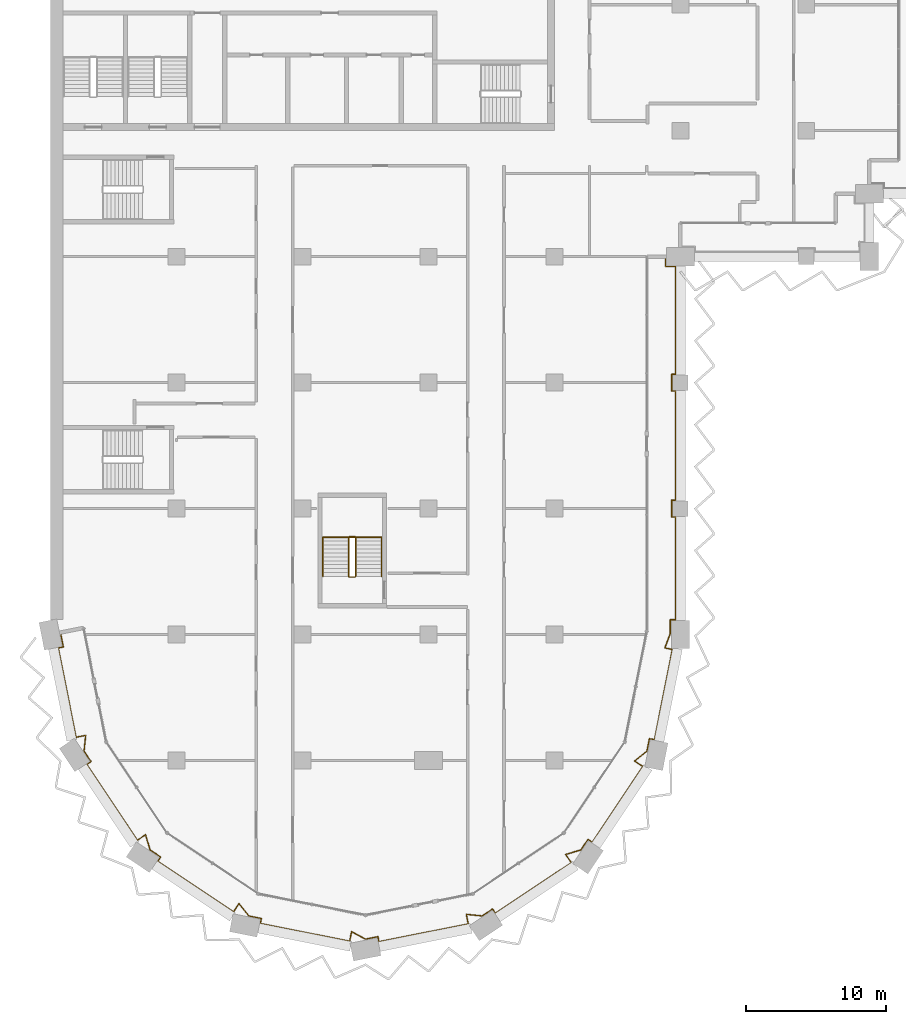
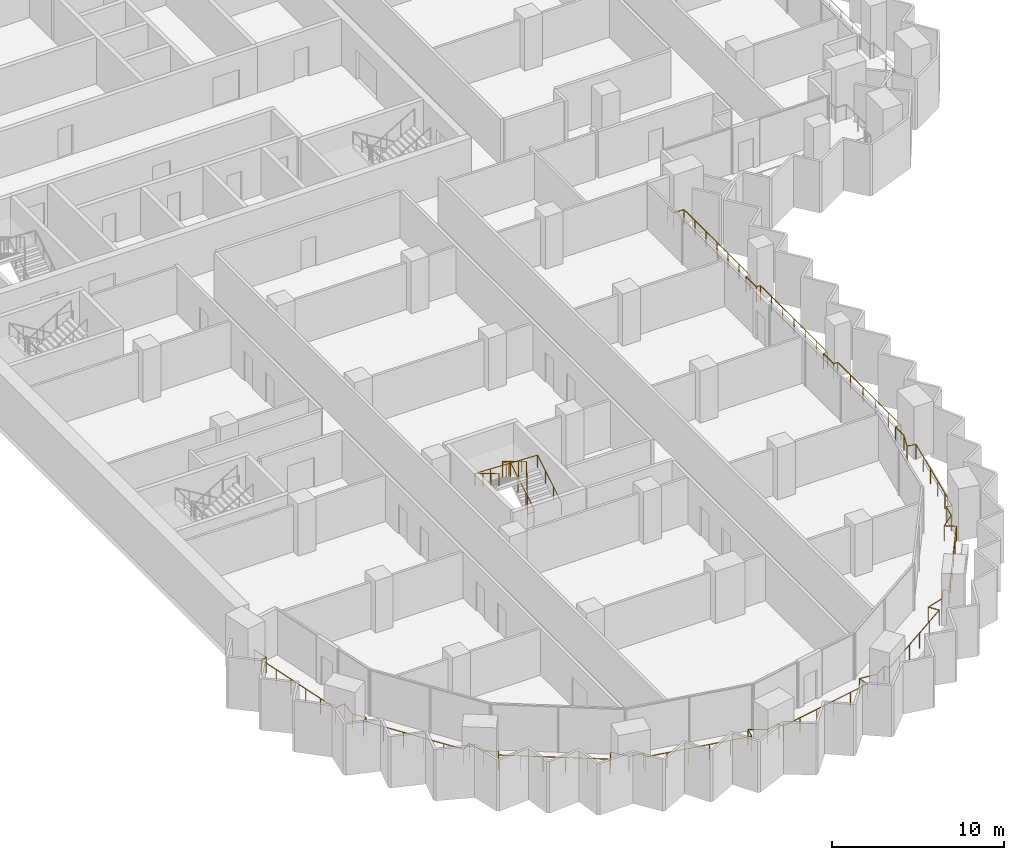
# One storey, part 19 of 22: 3 railings.
"""IFC4 building model written with IfcOpenShell, lengths in metres."""

from ifc_helpers import new_model, si_unit, direction, frame, origin, origin_2d, place, context, subcontext, project, spatial, circle, extrude, material, type_object, element, save


model = new_model("IFC4")

# Units and contexts
model_context = context("Model", 3, precision=1e-05, world=origin(), true_north=direction((0.0, 1.0)))
body_context = subcontext(model_context, "Body", "Model", "MODEL_VIEW")
ifc_project = project(units=[si_unit("LENGTHUNIT", "METRE"), si_unit("AREAUNIT", "SQUARE_METRE"), si_unit("VOLUMEUNIT", "CUBIC_METRE"), si_unit("PLANEANGLEUNIT", "RADIAN"), si_unit("MASSUNIT", "GRAM", prefix="KILO")], contexts=[model_context])

# Site, building, storey
site_placement = place(None, origin())
site = spatial("IfcSite", under=ifc_project, at=site_placement, CompositionType="ELEMENT")
building_placement = place(site_placement, origin())
building = spatial("IfcBuilding", under=site, at=building_placement, Name="Hunhe Ridgeline Campus", CompositionType="ELEMENT")
storey_placement = place(building_placement, frame((0.0, 0.0, 159.699951171875)))
storey = spatial("IfcBuildingStorey", under=building, at=storey_placement, Name="L40", CompositionType="ELEMENT", Elevation=159.699951171875)

# Railings
ifc_material_1 = material(Name="Steel Q355", Category="steel")
railing_type_1 = type_object("IfcRailingType", Name="Loggia guard 1100 Steel Q355", PredefinedType="GUARDRAIL", material=ifc_material_1)
railing_1_placement = place(storey_placement, frame((0.7060546875, 27.140380859375, 0.0)))
element("IfcRailing", 1, at=railing_1_placement, inside=storey, type_object=railing_type_1, Name="Loggia guard 1", PredefinedType="GUARDRAIL", context=body_context, shape_type="SweptSolid", body=[
    extrude(circle(Radius=0.02392578125, at=origin_2d()), frame((0.0, 0.0, 1.076171875), z_axis=(0.195087556151, -0.980785830564, 0.0), x_axis=(0.980785830564, 0.195087556151, 0.0)), (0.0, 0.0, 1.0), 1.050048828125),
    extrude(circle(Radius=0.02392578125, at=origin_2d()), frame((0.204833984375, -1.02978515625, 1.076171875), z_axis=(-0.980858940504, -0.194719641621, 0.0), x_axis=(0.194719641621, -0.980858940504, 0.0)), (0.0, 0.0, 1.0), 0.369873046875),
    extrude(circle(Radius=0.02392578125, at=origin_2d()), frame((-0.157958984375, -1.101806640625, 1.076171875), z_axis=(0.19507695386, -0.9807879394, 0.0), x_axis=(0.9807879394, 0.19507695386, 0.0)), (0.0, 0.0, 1.0), 6.506591796875),
    extrude(circle(Radius=0.02392578125, at=origin_2d()), frame((1.111328125, -7.4833984375, 1.076171875), z_axis=(0.980780459814, 0.195114555191, 0.0), x_axis=(-0.195114555191, 0.980780459814, 0.0)), (0.0, 0.0, 1.0), 0.703125),
    extrude(circle(Radius=0.02392578125, at=origin_2d()), frame((1.801025390625, -7.34619140625, 1.076171875), z_axis=(-0.102884402445, -0.994693319437, 0.0), x_axis=(0.994693319437, -0.102884402445, 0.0)), (0.0, 0.0, 1.0), 1.129638671875),
    extrude(circle(Radius=0.02392578125, at=origin_2d()), frame((1.684814453125, -8.4697265625, 1.076171875), z_axis=(0.555569523548, -0.831470086356, 0.0), x_axis=(0.831470086356, 0.555569523548, 0.0)), (0.0, 0.0, 1.0), 0.906982421875),
    extrude(circle(Radius=0.02392578125, at=origin_2d()), frame((2.188720703125, -9.223876953125, 1.076171875), z_axis=(-0.831440678638, -0.555613532868, 0.0), x_axis=(0.555613532868, -0.831440678638, 0.0)), (0.0, 0.0, 1.0), 0.369873046875),
    extrude(circle(Radius=0.02392578125, at=origin_2d()), frame((1.881103515625, -9.429443359375, 1.076171875), z_axis=(0.55556581165, -0.83147256655, 0.0), x_axis=(0.83147256655, 0.55556581165, 0.0)), (0.0, 0.0, 1.0), 6.50634765625),
    extrude(circle(Radius=0.02392578125, at=origin_2d()), frame((5.495849609375, -14.83935546875, 1.076171875), z_axis=(0.831355400166, 0.555741125539, 0.0), x_axis=(-0.555741125539, 0.831355400166, 0.0)), (0.0, 0.0, 1.0), 0.703369140625),
    extrude(circle(Radius=0.02392578125, at=origin_2d()), frame((6.08056640625, -14.448486328125, 1.076171875), z_axis=(0.285463917281, -0.958389457335, 0.0), x_axis=(0.958389457335, 0.285463917281, 0.0)), (0.0, 0.0, 1.0), 1.1298828125),
    extrude(circle(Radius=0.02392578125, at=origin_2d()), frame((6.403076171875, -15.53125, 1.076171875), z_axis=(0.831511358569, -0.555507750235, 0.0), x_axis=(0.555507750235, 0.831511358569, 0.0)), (0.0, 0.0, 1.0), 0.90673828125),
    extrude(circle(Radius=0.02392578125, at=origin_2d()), frame((7.156982421875, -16.034912109375, 1.076171875), z_axis=(-0.555613532868, -0.831440678638, 0.0), x_axis=(0.831440678638, -0.555613532868, 0.0)), (0.0, 0.0, 1.0), 0.369873046875),
    extrude(circle(Radius=0.02392578125, at=origin_2d()), frame((6.951416015625, -16.342529296875, 1.076171875), z_axis=(0.831455233209, -0.555591752251, 0.0), x_axis=(0.555591752251, 0.831455233209, 0.0)), (0.0, 0.0, 1.0), 6.506591796875),
    extrude(circle(Radius=0.02392578125, at=origin_2d()), frame((12.361328125, -19.95751953125, 1.076171875), z_axis=(0.555741125539, 0.831355400166, 0.0), x_axis=(-0.831355400166, 0.555741125539, 0.0)), (0.0, 0.0, 1.0), 0.703369140625),
    extrude(circle(Radius=0.02392578125, at=origin_2d()), frame((12.752197265625, -19.372802734375, 1.076171875), z_axis=(0.630633305327, -0.776080945657, 0.0), x_axis=(0.776080945657, 0.630633305327, 0.0)), (0.0, 0.0, 1.0), 1.129638671875),
    extrude(circle(Radius=0.02392578125, at=origin_2d()), frame((13.464599609375, -20.24951171875, 1.076171875), z_axis=(0.980807887006, -0.194976636516, 0.0), x_axis=(0.194976636516, 0.980807887006, 0.0)), (0.0, 0.0, 1.0), 0.906494140625),
    extrude(circle(Radius=0.02392578125, at=origin_2d()), frame((14.353759765625, -20.42626953125, 1.076171875), z_axis=(-0.194593653816, -0.980883943132, 0.0), x_axis=(0.980883943132, -0.194593653816, 0.0)), (0.0, 0.0, 1.0), 0.3701171875),
    extrude(circle(Radius=0.02392578125, at=origin_2d()), frame((14.28173828125, -20.789306640625, 1.076171875), z_axis=(0.98078651142, -0.195084133173, 0.0), x_axis=(0.195084133173, 0.98078651142, 0.0)), (0.0, 0.0, 1.0), 6.50634765625),
    extrude(circle(Radius=0.02392578125, at=origin_2d()), frame((20.6630859375, -22.05859375, 1.076171875), z_axis=(0.195114555191, 0.980780459814, 0.0), x_axis=(-0.980780459814, 0.195114555191, 0.0)), (0.0, 0.0, 1.0), 0.703125),
    extrude(circle(Radius=0.02392578125, at=origin_2d()), frame((20.80029296875, -21.368896484375, 1.076171875), z_axis=(0.879616090555, -0.475684278946, 0.0), x_axis=(0.475684278946, 0.879616090555, 0.0)), (0.0, 0.0, 1.0), 1.129638671875),
    extrude(circle(Radius=0.02392578125, at=origin_2d()), frame((21.7939453125, -21.90625, 1.076171875), z_axis=(0.98081812081, 0.194925149456, 0.0), x_axis=(-0.194925149456, 0.98081812081, 0.0)), (0.0, 0.0, 1.0), 0.90673828125),
    extrude(circle(Radius=0.02392578125, at=origin_2d()), frame((22.683349609375, -21.7294921875, 1.076171875), z_axis=(0.194719641621, -0.980858940504, 0.0), x_axis=(0.980858940504, 0.194719641621, 0.0)), (0.0, 0.0, 1.0), 0.369873046875),
    extrude(circle(Radius=0.02392578125, at=origin_2d()), frame((22.75537109375, -22.09228515625, 1.076171875), z_axis=(0.9807879394, 0.19507695386, 0.0), x_axis=(-0.19507695386, 0.9807879394, 0.0)), (0.0, 0.0, 1.0), 6.506591796875),
    extrude(circle(Radius=0.02392578125, at=origin_2d()), frame((29.136962890625, -20.822998046875, 1.076171875), z_axis=(-0.195114555191, 0.980780459814, 0.0), x_axis=(-0.980780459814, -0.195114555191, 0.0)), (0.0, 0.0, 1.0), 0.703125),
    extrude(circle(Radius=0.02392578125, at=origin_2d()), frame((28.999755859375, -20.13330078125, 1.076171875), z_axis=(0.994693319437, -0.102884402445, 0.0), x_axis=(0.102884402445, 0.994693319437, 0.0)), (0.0, 0.0, 1.0), 1.129638671875),
    extrude(circle(Radius=0.02392578125, at=origin_2d()), frame((30.123291015625, -20.24951171875, 1.076171875), z_axis=(0.831470086356, 0.555569523548, 0.0), x_axis=(-0.555569523548, 0.831470086356, 0.0)), (0.0, 0.0, 1.0), 0.906982421875),
    extrude(circle(Radius=0.02392578125, at=origin_2d()), frame((30.87744140625, -19.74560546875, 1.076171875), z_axis=(0.555613532868, -0.831440678638, 0.0), x_axis=(0.831440678638, 0.555613532868, 0.0)), (0.0, 0.0, 1.0), 0.369873046875),
    extrude(circle(Radius=0.02392578125, at=origin_2d()), frame((31.0830078125, -20.05322265625, 1.076171875), z_axis=(0.83147256655, 0.55556581165, 0.0), x_axis=(-0.55556581165, 0.83147256655, 0.0)), (0.0, 0.0, 1.0), 6.50634765625),
    extrude(circle(Radius=0.02392578125, at=origin_2d()), frame((36.492919921875, -16.4384765625, 1.076171875), z_axis=(-0.555741125539, 0.831355400166, 0.0), x_axis=(-0.831355400166, -0.555741125539, 0.0)), (0.0, 0.0, 1.0), 0.703369140625),
    extrude(circle(Radius=0.02392578125, at=origin_2d()), frame((36.10205078125, -15.853759765625, 1.076171875), z_axis=(0.958389457335, 0.285463917281, 0.0), x_axis=(-0.285463917281, 0.958389457335, 0.0)), (0.0, 0.0, 1.0), 1.1298828125),
    extrude(circle(Radius=0.02392578125, at=origin_2d()), frame((37.184814453125, -15.53125, 1.076171875), z_axis=(0.555507750235, 0.831511358569, 0.0), x_axis=(-0.831511358569, 0.555507750235, 0.0)), (0.0, 0.0, 1.0), 0.90673828125),
    extrude(circle(Radius=0.02392578125, at=origin_2d()), frame((37.6884765625, -14.77734375, 1.076171875), z_axis=(0.831440678638, -0.555613532868, 0.0), x_axis=(0.555613532868, 0.831440678638, 0.0)), (0.0, 0.0, 1.0), 0.369873046875),
    extrude(circle(Radius=0.02392578125, at=origin_2d()), frame((37.99609375, -14.98291015625, 1.076171875), z_axis=(0.555591752251, 0.831455233209, 0.0), x_axis=(-0.831455233209, 0.555591752251, 0.0)), (0.0, 0.0, 1.0), 6.506591796875),
    extrude(circle(Radius=0.02392578125, at=origin_2d()), frame((41.611083984375, -9.572998046875, 1.076171875), z_axis=(-0.831355400166, 0.555741125539, 0.0), x_axis=(-0.555741125539, -0.831355400166, 0.0)), (0.0, 0.0, 1.0), 0.703369140625),
    extrude(circle(Radius=0.02392578125, at=origin_2d()), frame((41.0263671875, -9.18212890625, 1.076171875), z_axis=(0.776080945657, 0.630633305327, 0.0), x_axis=(-0.630633305327, 0.776080945657, 0.0)), (0.0, 0.0, 1.0), 1.129638671875),
    extrude(circle(Radius=0.02392578125, at=origin_2d()), frame((41.903076171875, -8.4697265625, 1.076171875), z_axis=(0.194976636516, 0.980807887006, 0.0), x_axis=(-0.980807887006, 0.194976636516, 0.0)), (0.0, 0.0, 1.0), 0.906494140625),
    extrude(circle(Radius=0.02392578125, at=origin_2d()), frame((42.079833984375, -7.58056640625, 1.076171875), z_axis=(0.980883943132, -0.194593653816, 0.0), x_axis=(0.194593653816, 0.980883943132, 0.0)), (0.0, 0.0, 1.0), 0.3701171875),
    extrude(circle(Radius=0.02392578125, at=origin_2d()), frame((42.44287109375, -7.652587890625, 1.076171875), z_axis=(0.195087191819, 0.980785903033, 0.0), x_axis=(-0.980785903033, 0.195087191819, 0.0)), (0.0, 0.0, 1.0), 6.5712890625),
    extrude(circle(Radius=0.02392578125, at=origin_2d()), frame((43.724853515625, -1.20751953125, 1.076171875), z_axis=(-0.9807502228, 0.195266485801, 0.0), x_axis=(-0.195266485801, -0.9807502228, 0.0)), (0.0, 0.0, 1.0), 0.552734375),
    extrude(circle(Radius=0.02392578125, at=origin_2d()), frame((43.182861328125, -1.099609375, 1.076171875), z_axis=(0.354981524628, 0.934873316109, 0.0), x_axis=(-0.934873316109, 0.354981524628, 0.0)), (0.0, 0.0, 1.0), 1.101806640625),
    extrude(circle(Radius=0.02392578125, at=origin_2d()), frame((43.573974609375, -0.069580078125, 1.076171875), z_axis=(0.0, 1.0, 0.0), x_axis=(-1.0, 0.0, 0.0)), (0.0, 0.0, 1.0), 0.979248046875),
    extrude(circle(Radius=0.02392578125, at=origin_2d()), frame((43.573974609375, 0.90966796875, 1.076171875), z_axis=(1.0, 0.0, 0.0), x_axis=(0.0, 1.0, 0.0)), (0.0, 0.0, 1.0), 0.369873046875),
    extrude(circle(Radius=0.02392578125, at=origin_2d()), frame((43.94384765625, 0.90966796875, 1.076171875), z_axis=(0.0, 1.0, 0.0), x_axis=(-1.0, 0.0, 0.0)), (0.0, 0.0, 1.0), 7.349853515625),
    extrude(circle(Radius=0.02392578125, at=origin_2d()), frame((43.94384765625, 8.259521484375, 1.076171875), z_axis=(-1.0, 0.0, 0.0), x_axis=(0.0, -1.0, 0.0)), (0.0, 0.0, 1.0), 0.27001953125),
    extrude(circle(Radius=0.02392578125, at=origin_2d()), frame((43.673828125, 8.259521484375, 1.076171875), z_axis=(0.0, 1.0, 0.0), x_axis=(-1.0, 0.0, 0.0)), (0.0, 0.0, 1.0), 1.2001953125),
    extrude(circle(Radius=0.02392578125, at=origin_2d()), frame((43.673828125, 9.459716796875, 1.076171875), z_axis=(1.0, 0.0, 0.0), x_axis=(0.0, 1.0, 0.0)), (0.0, 0.0, 1.0), 0.27001953125),
    extrude(circle(Radius=0.02392578125, at=origin_2d()), frame((43.94384765625, 9.459716796875, 1.076171875), z_axis=(0.0, 1.0, 0.0), x_axis=(-1.0, 0.0, 0.0)), (0.0, 0.0, 1.0), 7.7998046875),
    extrude(circle(Radius=0.02392578125, at=origin_2d()), frame((43.94384765625, 17.259521484375, 1.076171875), z_axis=(-1.0, 0.0, 0.0), x_axis=(0.0, -1.0, 0.0)), (0.0, 0.0, 1.0), 0.27001953125),
    extrude(circle(Radius=0.02392578125, at=origin_2d()), frame((43.673828125, 17.259521484375, 1.076171875), z_axis=(0.0, 1.0, 0.0), x_axis=(-1.0, 0.0, 0.0)), (0.0, 0.0, 1.0), 1.2001953125),
    extrude(circle(Radius=0.02392578125, at=origin_2d()), frame((43.673828125, 18.459716796875, 1.076171875), z_axis=(1.0, 0.0, 0.0), x_axis=(0.0, 1.0, 0.0)), (0.0, 0.0, 1.0), 0.27001953125),
    extrude(circle(Radius=0.02392578125, at=origin_2d()), frame((43.94384765625, 18.459716796875, 1.076171875), z_axis=(0.0, 1.0, 0.0), x_axis=(-1.0, 0.0, 0.0)), (0.0, 0.0, 1.0), 7.699951171875),
    extrude(circle(Radius=0.02392578125, at=origin_2d()), frame((43.94384765625, 26.15966796875, 1.076171875), z_axis=(-1.0, 0.0, 0.0), x_axis=(0.0, -1.0, 0.0)), (0.0, 0.0, 1.0), 0.719970703125),
    extrude(circle(Radius=0.02392578125, at=origin_2d()), frame((43.223876953125, 26.15966796875, 1.076171875), z_axis=(0.0, 1.0, 0.0), x_axis=(-1.0, 0.0, 0.0)), (0.0, 0.0, 1.0), 0.699951171875),
    extrude(circle(Radius=0.02099609375, at=origin_2d()), origin(), (0.0, 0.0, 1.0), 1.052001953125),
    extrude(circle(Radius=0.02099609375, at=origin_2d()), frame((0.204833984375, -1.02978515625, 0.0)), (0.0, 0.0, 1.0), 1.052001953125),
    extrude(circle(Radius=0.02099609375, at=origin_2d()), frame((-0.157958984375, -1.101806640625, 0.0)), (0.0, 0.0, 1.0), 1.052001953125),
    extrude(circle(Radius=0.02099609375, at=origin_2d()), frame((0.095947265625, -2.378173828125, 0.0)), (0.0, 0.0, 1.0), 1.052001953125),
    extrude(circle(Radius=0.02099609375, at=origin_2d()), frame((0.349853515625, -3.654541015625, 0.0)), (0.0, 0.0, 1.0), 1.052001953125),
    extrude(circle(Radius=0.02099609375, at=origin_2d()), frame((0.603515625, -4.9306640625, 0.0)), (0.0, 0.0, 1.0), 1.052001953125),
    extrude(circle(Radius=0.02099609375, at=origin_2d()), frame((0.857421875, -6.20703125, 0.0)), (0.0, 0.0, 1.0), 1.052001953125),
    extrude(circle(Radius=0.02099609375, at=origin_2d()), frame((1.111328125, -7.4833984375, 0.0)), (0.0, 0.0, 1.0), 1.052001953125),
    extrude(circle(Radius=0.02099609375, at=origin_2d()), frame((1.801025390625, -7.34619140625, 0.0)), (0.0, 0.0, 1.0), 1.052001953125),
    extrude(circle(Radius=0.02099609375, at=origin_2d()), frame((1.684814453125, -8.4697265625, 0.0)), (0.0, 0.0, 1.0), 1.052001953125),
    extrude(circle(Radius=0.02099609375, at=origin_2d()), frame((2.188720703125, -9.223876953125, 0.0)), (0.0, 0.0, 1.0), 1.052001953125),
    extrude(circle(Radius=0.02099609375, at=origin_2d()), frame((1.881103515625, -9.429443359375, 0.0)), (0.0, 0.0, 1.0), 1.052001953125),
    extrude(circle(Radius=0.02099609375, at=origin_2d()), frame((2.60400390625, -10.511474609375, 0.0)), (0.0, 0.0, 1.0), 1.052001953125),
    extrude(circle(Radius=0.02099609375, at=origin_2d()), frame((3.326904296875, -11.593505859375, 0.0)), (0.0, 0.0, 1.0), 1.052001953125),
    extrude(circle(Radius=0.02099609375, at=origin_2d()), frame((4.050048828125, -12.67529296875, 0.0)), (0.0, 0.0, 1.0), 1.052001953125),
    extrude(circle(Radius=0.02099609375, at=origin_2d()), frame((4.77294921875, -13.75732421875, 0.0)), (0.0, 0.0, 1.0), 1.052001953125),
    extrude(circle(Radius=0.02099609375, at=origin_2d()), frame((5.495849609375, -14.83935546875, 0.0)), (0.0, 0.0, 1.0), 1.052001953125),
    extrude(circle(Radius=0.02099609375, at=origin_2d()), frame((6.08056640625, -14.448486328125, 0.0)), (0.0, 0.0, 1.0), 1.052001953125),
    extrude(circle(Radius=0.02099609375, at=origin_2d()), frame((6.403076171875, -15.53125, 0.0)), (0.0, 0.0, 1.0), 1.052001953125),
    extrude(circle(Radius=0.02099609375, at=origin_2d()), frame((7.156982421875, -16.034912109375, 0.0)), (0.0, 0.0, 1.0), 1.052001953125),
    extrude(circle(Radius=0.02099609375, at=origin_2d()), frame((6.951416015625, -16.342529296875, 0.0)), (0.0, 0.0, 1.0), 1.052001953125),
    extrude(circle(Radius=0.02099609375, at=origin_2d()), frame((8.033447265625, -17.0654296875, 0.0)), (0.0, 0.0, 1.0), 1.052001953125),
    extrude(circle(Radius=0.02099609375, at=origin_2d()), frame((9.115478515625, -17.78857421875, 0.0)), (0.0, 0.0, 1.0), 1.052001953125),
    extrude(circle(Radius=0.02099609375, at=origin_2d()), frame((10.197265625, -18.511474609375, 0.0)), (0.0, 0.0, 1.0), 1.052001953125),
    extrude(circle(Radius=0.02099609375, at=origin_2d()), frame((11.279296875, -19.234619140625, 0.0)), (0.0, 0.0, 1.0), 1.052001953125),
    extrude(circle(Radius=0.02099609375, at=origin_2d()), frame((12.361328125, -19.95751953125, 0.0)), (0.0, 0.0, 1.0), 1.052001953125),
    extrude(circle(Radius=0.02099609375, at=origin_2d()), frame((12.752197265625, -19.372802734375, 0.0)), (0.0, 0.0, 1.0), 1.052001953125),
    extrude(circle(Radius=0.02099609375, at=origin_2d()), frame((13.464599609375, -20.24951171875, 0.0)), (0.0, 0.0, 1.0), 1.052001953125),
    extrude(circle(Radius=0.02099609375, at=origin_2d()), frame((14.353759765625, -20.42626953125, 0.0)), (0.0, 0.0, 1.0), 1.052001953125),
    extrude(circle(Radius=0.02099609375, at=origin_2d()), frame((14.28173828125, -20.789306640625, 0.0)), (0.0, 0.0, 1.0), 1.052001953125),
    extrude(circle(Radius=0.02099609375, at=origin_2d()), frame((15.55810546875, -21.043212890625, 0.0)), (0.0, 0.0, 1.0), 1.052001953125),
    extrude(circle(Radius=0.02099609375, at=origin_2d()), frame((16.834228515625, -21.297119140625, 0.0)), (0.0, 0.0, 1.0), 1.052001953125),
    extrude(circle(Radius=0.02099609375, at=origin_2d()), frame((18.110595703125, -21.55078125, 0.0)), (0.0, 0.0, 1.0), 1.052001953125),
    extrude(circle(Radius=0.02099609375, at=origin_2d()), frame((19.38671875, -21.8046875, 0.0)), (0.0, 0.0, 1.0), 1.052001953125),
    extrude(circle(Radius=0.02099609375, at=origin_2d()), frame((20.6630859375, -22.05859375, 0.0)), (0.0, 0.0, 1.0), 1.052001953125),
    extrude(circle(Radius=0.02099609375, at=origin_2d()), frame((20.80029296875, -21.368896484375, 0.0)), (0.0, 0.0, 1.0), 1.052001953125),
    extrude(circle(Radius=0.02099609375, at=origin_2d()), frame((21.7939453125, -21.90625, 0.0)), (0.0, 0.0, 1.0), 1.052001953125),
    extrude(circle(Radius=0.02099609375, at=origin_2d()), frame((22.683349609375, -21.7294921875, 0.0)), (0.0, 0.0, 1.0), 1.052001953125),
    extrude(circle(Radius=0.02099609375, at=origin_2d()), frame((22.75537109375, -22.09228515625, 0.0)), (0.0, 0.0, 1.0), 1.052001953125),
    extrude(circle(Radius=0.02099609375, at=origin_2d()), frame((24.03173828125, -21.83837890625, 0.0)), (0.0, 0.0, 1.0), 1.052001953125),
    extrude(circle(Radius=0.02099609375, at=origin_2d()), frame((25.30810546875, -21.58447265625, 0.0)), (0.0, 0.0, 1.0), 1.052001953125),
    extrude(circle(Radius=0.02099609375, at=origin_2d()), frame((26.584228515625, -21.330810546875, 0.0)), (0.0, 0.0, 1.0), 1.052001953125),
    extrude(circle(Radius=0.02099609375, at=origin_2d()), frame((27.860595703125, -21.076904296875, 0.0)), (0.0, 0.0, 1.0), 1.052001953125),
    extrude(circle(Radius=0.02099609375, at=origin_2d()), frame((29.136962890625, -20.822998046875, 0.0)), (0.0, 0.0, 1.0), 1.052001953125),
    extrude(circle(Radius=0.02099609375, at=origin_2d()), frame((28.999755859375, -20.13330078125, 0.0)), (0.0, 0.0, 1.0), 1.052001953125),
    extrude(circle(Radius=0.02099609375, at=origin_2d()), frame((30.123291015625, -20.24951171875, 0.0)), (0.0, 0.0, 1.0), 1.052001953125),
    extrude(circle(Radius=0.02099609375, at=origin_2d()), frame((30.87744140625, -19.74560546875, 0.0)), (0.0, 0.0, 1.0), 1.052001953125),
    extrude(circle(Radius=0.02099609375, at=origin_2d()), frame((31.0830078125, -20.05322265625, 0.0)), (0.0, 0.0, 1.0), 1.052001953125),
    extrude(circle(Radius=0.02099609375, at=origin_2d()), frame((32.1650390625, -19.330322265625, 0.0)), (0.0, 0.0, 1.0), 1.052001953125),
    extrude(circle(Radius=0.02099609375, at=origin_2d()), frame((33.2470703125, -18.607421875, 0.0)), (0.0, 0.0, 1.0), 1.052001953125),
    extrude(circle(Radius=0.02099609375, at=origin_2d()), frame((34.328857421875, -17.88427734375, 0.0)), (0.0, 0.0, 1.0), 1.052001953125),
    extrude(circle(Radius=0.02099609375, at=origin_2d()), frame((35.410888671875, -17.161376953125, 0.0)), (0.0, 0.0, 1.0), 1.052001953125),
    extrude(circle(Radius=0.02099609375, at=origin_2d()), frame((36.492919921875, -16.4384765625, 0.0)), (0.0, 0.0, 1.0), 1.052001953125),
    extrude(circle(Radius=0.02099609375, at=origin_2d()), frame((36.10205078125, -15.853759765625, 0.0)), (0.0, 0.0, 1.0), 1.052001953125),
    extrude(circle(Radius=0.02099609375, at=origin_2d()), frame((37.184814453125, -15.53125, 0.0)), (0.0, 0.0, 1.0), 1.052001953125),
    extrude(circle(Radius=0.02099609375, at=origin_2d()), frame((37.6884765625, -14.77734375, 0.0)), (0.0, 0.0, 1.0), 1.052001953125),
    extrude(circle(Radius=0.02099609375, at=origin_2d()), frame((37.99609375, -14.98291015625, 0.0)), (0.0, 0.0, 1.0), 1.052001953125),
    extrude(circle(Radius=0.02099609375, at=origin_2d()), frame((38.718994140625, -13.90087890625, 0.0)), (0.0, 0.0, 1.0), 1.052001953125),
    extrude(circle(Radius=0.02099609375, at=origin_2d()), frame((39.442138671875, -12.81884765625, 0.0)), (0.0, 0.0, 1.0), 1.052001953125),
    extrude(circle(Radius=0.02099609375, at=origin_2d()), frame((40.1650390625, -11.737060546875, 0.0)), (0.0, 0.0, 1.0), 1.052001953125),
    extrude(circle(Radius=0.02099609375, at=origin_2d()), frame((40.88818359375, -10.655029296875, 0.0)), (0.0, 0.0, 1.0), 1.052001953125),
    extrude(circle(Radius=0.02099609375, at=origin_2d()), frame((41.611083984375, -9.572998046875, 0.0)), (0.0, 0.0, 1.0), 1.052001953125),
    extrude(circle(Radius=0.02099609375, at=origin_2d()), frame((41.0263671875, -9.18212890625, 0.0)), (0.0, 0.0, 1.0), 1.052001953125),
    extrude(circle(Radius=0.02099609375, at=origin_2d()), frame((41.903076171875, -8.4697265625, 0.0)), (0.0, 0.0, 1.0), 1.052001953125),
    extrude(circle(Radius=0.02099609375, at=origin_2d()), frame((42.079833984375, -7.58056640625, 0.0)), (0.0, 0.0, 1.0), 1.052001953125),
    extrude(circle(Radius=0.02099609375, at=origin_2d()), frame((42.44287109375, -7.652587890625, 0.0)), (0.0, 0.0, 1.0), 1.052001953125),
    extrude(circle(Radius=0.02099609375, at=origin_2d()), frame((42.69921875, -6.363525390625, 0.0)), (0.0, 0.0, 1.0), 1.052001953125),
    extrude(circle(Radius=0.02099609375, at=origin_2d()), frame((42.95556640625, -5.074462890625, 0.0)), (0.0, 0.0, 1.0), 1.052001953125),
    extrude(circle(Radius=0.02099609375, at=origin_2d()), frame((43.212158203125, -3.78564453125, 0.0)), (0.0, 0.0, 1.0), 1.052001953125),
    extrude(circle(Radius=0.02099609375, at=origin_2d()), frame((43.468505859375, -2.49658203125, 0.0)), (0.0, 0.0, 1.0), 1.052001953125),
    extrude(circle(Radius=0.02099609375, at=origin_2d()), frame((43.724853515625, -1.20751953125, 0.0)), (0.0, 0.0, 1.0), 1.052001953125),
    extrude(circle(Radius=0.02099609375, at=origin_2d()), frame((43.182861328125, -1.099609375, 0.0)), (0.0, 0.0, 1.0), 1.052001953125),
    extrude(circle(Radius=0.02099609375, at=origin_2d()), frame((43.573974609375, -0.069580078125, 0.0)), (0.0, 0.0, 1.0), 1.052001953125),
    extrude(circle(Radius=0.02099609375, at=origin_2d()), frame((43.573974609375, 0.90966796875, 0.0)), (0.0, 0.0, 1.0), 1.052001953125),
    extrude(circle(Radius=0.02099609375, at=origin_2d()), frame((43.94384765625, 0.90966796875, 0.0)), (0.0, 0.0, 1.0), 1.052001953125),
    extrude(circle(Radius=0.02099609375, at=origin_2d()), frame((43.94384765625, 2.379638671875, 0.0)), (0.0, 0.0, 1.0), 1.052001953125),
    extrude(circle(Radius=0.02099609375, at=origin_2d()), frame((43.94384765625, 3.849609375, 0.0)), (0.0, 0.0, 1.0), 1.052001953125),
    extrude(circle(Radius=0.02099609375, at=origin_2d()), frame((43.94384765625, 5.319580078125, 0.0)), (0.0, 0.0, 1.0), 1.052001953125),
    extrude(circle(Radius=0.02099609375, at=origin_2d()), frame((43.94384765625, 6.78955078125, 0.0)), (0.0, 0.0, 1.0), 1.052001953125),
    extrude(circle(Radius=0.02099609375, at=origin_2d()), frame((43.94384765625, 8.259521484375, 0.0)), (0.0, 0.0, 1.0), 1.052001953125),
    extrude(circle(Radius=0.02099609375, at=origin_2d()), frame((43.673828125, 8.259521484375, 0.0)), (0.0, 0.0, 1.0), 1.052001953125),
    extrude(circle(Radius=0.02099609375, at=origin_2d()), frame((43.673828125, 9.459716796875, 0.0)), (0.0, 0.0, 1.0), 1.052001953125),
    extrude(circle(Radius=0.02099609375, at=origin_2d()), frame((43.94384765625, 9.459716796875, 0.0)), (0.0, 0.0, 1.0), 1.052001953125),
    extrude(circle(Radius=0.02099609375, at=origin_2d()), frame((43.94384765625, 10.759765625, 0.0)), (0.0, 0.0, 1.0), 1.052001953125),
    extrude(circle(Radius=0.02099609375, at=origin_2d()), frame((43.94384765625, 12.0595703125, 0.0)), (0.0, 0.0, 1.0), 1.052001953125),
    extrude(circle(Radius=0.02099609375, at=origin_2d()), frame((43.94384765625, 13.359619140625, 0.0)), (0.0, 0.0, 1.0), 1.052001953125),
    extrude(circle(Radius=0.02099609375, at=origin_2d()), frame((43.94384765625, 14.65966796875, 0.0)), (0.0, 0.0, 1.0), 1.052001953125),
    extrude(circle(Radius=0.02099609375, at=origin_2d()), frame((43.94384765625, 15.95947265625, 0.0)), (0.0, 0.0, 1.0), 1.052001953125),
    extrude(circle(Radius=0.02099609375, at=origin_2d()), frame((43.94384765625, 17.259521484375, 0.0)), (0.0, 0.0, 1.0), 1.052001953125),
    extrude(circle(Radius=0.02099609375, at=origin_2d()), frame((43.673828125, 17.259521484375, 0.0)), (0.0, 0.0, 1.0), 1.052001953125),
    extrude(circle(Radius=0.02099609375, at=origin_2d()), frame((43.673828125, 18.459716796875, 0.0)), (0.0, 0.0, 1.0), 1.052001953125),
    extrude(circle(Radius=0.02099609375, at=origin_2d()), frame((43.94384765625, 18.459716796875, 0.0)), (0.0, 0.0, 1.0), 1.052001953125),
    extrude(circle(Radius=0.02099609375, at=origin_2d()), frame((43.94384765625, 19.7431640625, 0.0)), (0.0, 0.0, 1.0), 1.052001953125),
    extrude(circle(Radius=0.02099609375, at=origin_2d()), frame((43.94384765625, 21.0263671875, 0.0)), (0.0, 0.0, 1.0), 1.052001953125),
    extrude(circle(Radius=0.02099609375, at=origin_2d()), frame((43.94384765625, 22.3095703125, 0.0)), (0.0, 0.0, 1.0), 1.052001953125),
    extrude(circle(Radius=0.02099609375, at=origin_2d()), frame((43.94384765625, 23.593017578125, 0.0)), (0.0, 0.0, 1.0), 1.052001953125),
    extrude(circle(Radius=0.02099609375, at=origin_2d()), frame((43.94384765625, 24.87646484375, 0.0)), (0.0, 0.0, 1.0), 1.052001953125),
    extrude(circle(Radius=0.02099609375, at=origin_2d()), frame((43.94384765625, 26.15966796875, 0.0)), (0.0, 0.0, 1.0), 1.052001953125),
    extrude(circle(Radius=0.02099609375, at=origin_2d()), frame((43.223876953125, 26.15966796875, 0.0)), (0.0, 0.0, 1.0), 1.052001953125),
    extrude(circle(Radius=0.02099609375, at=origin_2d()), frame((43.223876953125, 26.859619140625, 0.0)), (0.0, 0.0, 1.0), 1.052001953125),
])
ifc_material_2 = material(Name="Stainless steel balustrade", Category="steel")
railing_type_2 = type_object("IfcRailingType", Name="Stair guard 1100 stainless", PredefinedType="GUARDRAIL", material=ifc_material_2)
railing_2_placement = place(storey_placement, frame((21.800048828125, 31.14990234375, 0.168212890625)))
element("IfcRailing", 2, at=railing_2_placement, inside=storey, type_object=railing_type_2, Name="L40 stair W3 guard", PredefinedType="GUARDRAIL", context=body_context, shape_type="SweptSolid", body=[
    extrude(circle(Radius=0.02392578125, at=origin_2d()), frame((0.0, 0.0, 1.076171875), z_axis=(0.0, 0.857242210791, 0.514913383045), x_axis=(-1.0, 0.0, 0.0)), (0.0, 0.0, 1.0), 3.266357421875),
    extrude(circle(Radius=0.02392578125, at=origin_2d()), frame((0.0, 2.800048828125, 2.7578125), z_axis=(-0.707106781187, 0.707106781187, 0.0), x_axis=(-0.707106781187, -0.707106781187, 0.0)), (0.0, 0.0, 1.0), 0.07080078125),
    extrude(circle(Radius=0.02392578125, at=origin_2d()), frame((-0.050048828125, 2.85009765625, 2.7578125), z_axis=(-1.0, 0.0, 0.0), x_axis=(0.0, -1.0, 0.0)), (0.0, 0.0, 1.0), 0.39990234375),
    extrude(circle(Radius=0.02392578125, at=origin_2d()), frame((-0.449951171875, 2.85009765625, 2.7578125), z_axis=(-0.274243871929, -0.274243871929, 0.92172696468), x_axis=(0.707106781187, -0.707106781187, 0.0)), (0.0, 0.0, 1.0), 0.1826171875),
    extrude(circle(Radius=0.02392578125, at=origin_2d()), frame((-0.5, 2.800048828125, 2.92626953125), z_axis=(0.0, -0.857275202839, 0.514858452973), x_axis=(1.0, 0.0, 0.0)), (0.0, 0.0, 1.0), 3.26611328125),
    extrude(circle(Radius=0.02392578125, at=origin_2d()), frame((-0.5, 0.0, 4.60791015625), z_axis=(0.013524426427, -0.013458453615, -0.999817963389), x_axis=(0.705375805398, 0.708833529934, 0.0)), (0.0, 0.0, 1.0), 3.70068359375),
    extrude(circle(Radius=0.02392578125, at=origin_2d()), frame((-0.449951171875, -0.0498046875, 0.90771484375), z_axis=(1.0, 0.0, 0.0), x_axis=(0.0, 1.0, 0.0)), (0.0, 0.0, 1.0), 0.39990234375),
    extrude(circle(Radius=0.02099609375, at=origin_2d()), origin(), (0.0, 0.0, 1.0), 1.052001953125),
    extrude(circle(Radius=0.02099609375, at=origin_2d()), frame((0.0, 0.933349609375, 0.560546875)), (0.0, 0.0, 1.0), 1.052001953125),
    extrude(circle(Radius=0.02099609375, at=origin_2d()), frame((0.0, 1.86669921875, 1.121337890625)), (0.0, 0.0, 1.0), 1.052001953125),
    extrude(circle(Radius=0.02099609375, at=origin_2d()), frame((0.0, 2.800048828125, 1.681884765625)), (0.0, 0.0, 1.0), 1.052001953125),
    extrude(circle(Radius=0.02099609375, at=origin_2d()), frame((-0.050048828125, 2.85009765625, 1.681884765625)), (0.0, 0.0, 1.0), 1.052001953125),
    extrude(circle(Radius=0.02099609375, at=origin_2d()), frame((-0.449951171875, 2.85009765625, 1.681884765625)), (0.0, 0.0, 1.0), 1.052001953125),
    extrude(circle(Radius=0.02099609375, at=origin_2d()), frame((-0.5, 2.800048828125, 1.85009765625)), (0.0, 0.0, 1.0), 1.052001953125),
    extrude(circle(Radius=0.02099609375, at=origin_2d()), frame((-0.5, 1.86669921875, 2.41064453125)), (0.0, 0.0, 1.0), 1.052001953125),
    extrude(circle(Radius=0.02099609375, at=origin_2d()), frame((-0.5, 0.933349609375, 2.97119140625)), (0.0, 0.0, 1.0), 1.052001953125),
    extrude(circle(Radius=0.02099609375, at=origin_2d()), frame((-0.5, 0.0, 3.53173828125)), (0.0, 0.0, 1.0), 1.052001953125),
    extrude(circle(Radius=0.02099609375, at=origin_2d()), frame((-0.487548828125, -0.012451171875, 2.606689453125)), (0.0, 0.0, 1.0), 1.052001953125),
    extrude(circle(Radius=0.02099609375, at=origin_2d()), frame((-0.47509765625, -0.02490234375, 1.681640625)), (0.0, 0.0, 1.0), 1.052001953125),
    extrude(circle(Radius=0.02099609375, at=origin_2d()), frame((-0.46240234375, -0.037353515625, 0.7568359375)), (0.0, 0.0, 1.0), 1.052001953125),
    extrude(circle(Radius=0.02099609375, at=origin_2d()), frame((-0.449951171875, -0.0498046875, -0.168212890625)), (0.0, 0.0, 1.0), 1.052001953125),
    extrude(circle(Radius=0.02099609375, at=origin_2d()), frame((-0.050048828125, -0.0498046875, -0.168212890625)), (0.0, 0.0, 1.0), 1.052001953125),
])
ifc_material_3 = material(Name="Stainless steel handrail", Category="steel")
railing_type_3 = type_object("IfcRailingType", Name="Stair handrail 900 stainless", PredefinedType="HANDRAIL", material=ifc_material_3)
railing_3_placement = place(storey_placement, frame((23.64990234375, 31.14990234375, 0.168212890625)))
element("IfcRailing", 3, at=railing_3_placement, inside=storey, type_object=railing_type_3, Name="L40 stair W3 handrail", PredefinedType="HANDRAIL", context=body_context, shape_type="SweptSolid", body=[
    extrude(circle(Radius=0.02392578125, at=origin_2d()), frame((0.0, 0.0, 0.8759765625), z_axis=(0.0, 0.857242210791, 0.514913383045), x_axis=(-1.0, 0.0, 0.0)), (0.0, 0.0, 1.0), 3.266357421875),
    extrude(circle(Radius=0.02392578125, at=origin_2d()), frame((0.0, 2.800048828125, 2.5576171875), z_axis=(-0.999198916169, 0.0, 0.040019069537), x_axis=(0.0, -1.0, 0.0)), (0.0, 0.0, 1.0), 4.203369140625),
    extrude(circle(Radius=0.02392578125, at=origin_2d()), frame((-4.199951171875, 2.800048828125, 2.72607421875), z_axis=(0.0, -0.857275202839, 0.514858452973), x_axis=(1.0, 0.0, 0.0)), (0.0, 0.0, 1.0), 3.26611328125),
    extrude(circle(Radius=0.02099609375, at=origin_2d()), origin(), (0.0, 0.0, 1.0), 0.851806640625),
    extrude(circle(Radius=0.02099609375, at=origin_2d()), frame((0.0, 0.933349609375, 0.560546875)), (0.0, 0.0, 1.0), 0.851806640625),
    extrude(circle(Radius=0.02099609375, at=origin_2d()), frame((0.0, 1.86669921875, 1.121337890625)), (0.0, 0.0, 1.0), 0.851806640625),
    extrude(circle(Radius=0.02099609375, at=origin_2d()), frame((0.0, 2.800048828125, 1.681884765625)), (0.0, 0.0, 1.0), 0.851806640625),
    extrude(circle(Radius=0.02099609375, at=origin_2d()), frame((-1.050048828125, 2.800048828125, 1.723876953125)), (0.0, 0.0, 1.0), 0.851806640625),
    extrude(circle(Radius=0.02099609375, at=origin_2d()), frame((-2.10009765625, 2.800048828125, 1.76611328125)), (0.0, 0.0, 1.0), 0.851806640625),
    extrude(circle(Radius=0.02099609375, at=origin_2d()), frame((-3.14990234375, 2.800048828125, 1.80810546875)), (0.0, 0.0, 1.0), 0.851806640625),
    extrude(circle(Radius=0.02099609375, at=origin_2d()), frame((-4.199951171875, 2.800048828125, 1.85009765625)), (0.0, 0.0, 1.0), 0.851806640625),
    extrude(circle(Radius=0.02099609375, at=origin_2d()), frame((-4.199951171875, 1.86669921875, 2.41064453125)), (0.0, 0.0, 1.0), 0.851806640625),
    extrude(circle(Radius=0.02099609375, at=origin_2d()), frame((-4.199951171875, 0.933349609375, 2.97119140625)), (0.0, 0.0, 1.0), 0.851806640625),
    extrude(circle(Radius=0.02099609375, at=origin_2d()), frame((-4.199951171875, 0.0, 3.53173828125)), (0.0, 0.0, 1.0), 0.851806640625),
])

save(model, "model.ifc")
